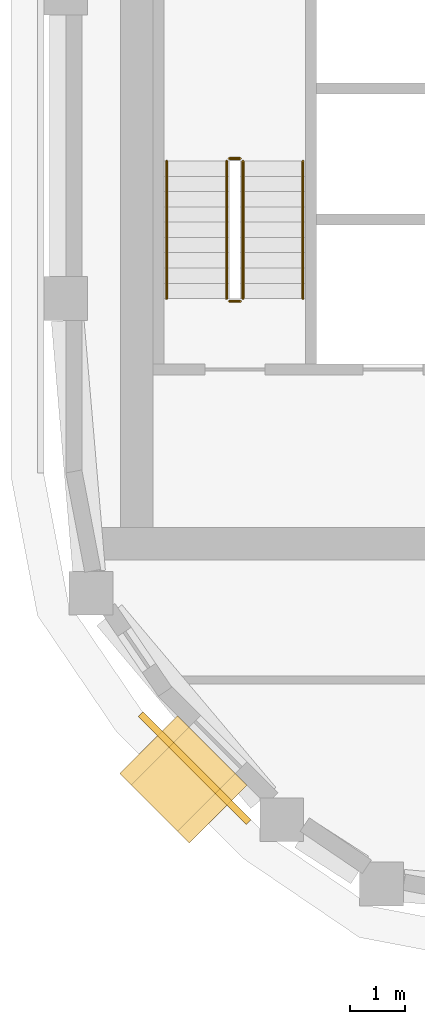
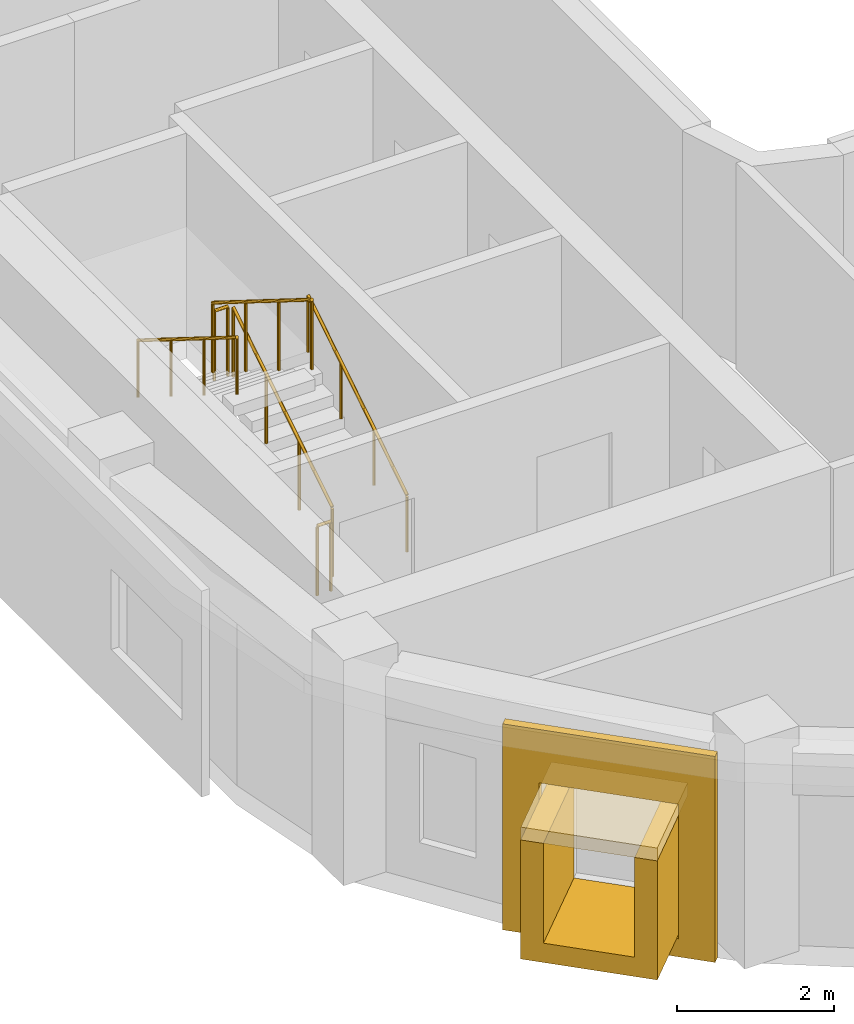
# One storey, part 10 of 16: 6 railings, 3 coverings.
"""IFC4 building model written with IfcOpenShell, lengths in metres."""

from ifc_helpers import new_model, si_unit, direction, frame, origin, origin_2d, place, context, subcontext, project, spatial, polyline, rectangle, circle, outline, extrude, material, layer, layer_set, type_object, element, save


model = new_model("IFC4")

# Units and contexts
model_context = context("Model", 3, precision=1e-05, world=origin(), true_north=direction((0.0, 1.0)))
body_context = subcontext(model_context, "Body", "Model", "MODEL_VIEW")
ifc_project = project(units=[si_unit("LENGTHUNIT", "METRE"), si_unit("AREAUNIT", "SQUARE_METRE"), si_unit("VOLUMEUNIT", "CUBIC_METRE"), si_unit("PLANEANGLEUNIT", "RADIAN"), si_unit("MASSUNIT", "GRAM", prefix="KILO")], contexts=[model_context])

# Site, building, storey
site_placement = place(None, origin())
site = spatial("IfcSite", under=ifc_project, at=site_placement, CompositionType="ELEMENT")
building_placement = place(site_placement, origin())
building = spatial("IfcBuilding", under=site, at=building_placement, Name="Kiln Ring Residences", CompositionType="ELEMENT")
storey_placement = place(building_placement, frame((0.0, 0.0, 245.199951171875)))
storey = spatial("IfcBuildingStorey", under=building, at=storey_placement, Name="L63", CompositionType="ELEMENT", Elevation=245.199951171875)

# Railings
ifc_material_1 = material(Name="Stainless steel", Category="steel")
railing_type_1 = type_object("IfcRailingType", Name="CORE-STAIR-GUARD", PredefinedType="GUARDRAIL", material=ifc_material_1)
railing_1_placement = place(storey_placement, frame((-21.949951171875, -8.39990234375, 0.175048828125)))
element("IfcRailing", 1, at=railing_1_placement, inside=storey, type_object=railing_type_1, Name="L63 W-STS stair guard 1", PredefinedType="GUARDRAIL", context=body_context, shape_type="SweptSolid", body=[
    extrude(circle(Radius=0.02392578125, at=origin_2d()), frame((0.0, 0.0, 1.076171875), z_axis=(0.0, 0.848007534815, 0.529984170421), x_axis=(-1.0, 0.0, 0.0)), (0.0, 0.0, 1.0), 2.9716796875),
    extrude(circle(Radius=0.02099609375, at=origin_2d()), origin(), (0.0, 0.0, 1.0), 1.052001953125),
    extrude(circle(Radius=0.02099609375, at=origin_2d()), frame((0.0, 0.840087890625, 0.52490234375)), (0.0, 0.0, 1.0), 1.052001953125),
    extrude(circle(Radius=0.02099609375, at=origin_2d()), frame((0.0, 1.679931640625, 1.050048828125)), (0.0, 0.0, 1.0), 1.052001953125),
    extrude(circle(Radius=0.02099609375, at=origin_2d()), frame((0.0, 2.52001953125, 1.574951171875)), (0.0, 0.0, 1.0), 1.052001953125),
])
railing_2_placement = place(storey_placement, frame((-22.0, -5.830078125, 1.75)))
element("IfcRailing", 2, at=railing_2_placement, inside=storey, type_object=railing_type_1, Name="L63 W-STS stair guard 2", PredefinedType="GUARDRAIL", context=body_context, shape_type="SweptSolid", body=[
    extrude(circle(Radius=0.02392578125, at=origin_2d()), frame((0.0, 0.0, 1.076171875), z_axis=(-1.0, 0.0, 0.0), x_axis=(0.0, -1.0, 0.0)), (0.0, 0.0, 1.0), 0.199951171875),
    extrude(circle(Radius=0.02099609375, at=origin_2d()), origin(), (0.0, 0.0, 1.0), 1.052001953125),
    extrude(circle(Radius=0.02099609375, at=origin_2d()), frame((-0.199951171875, 0.0, 0.0)), (0.0, 0.0, 1.0), 1.052001953125),
])
railing_3_placement = place(storey_placement, frame((-22.25, -5.8798828125, 1.925048828125)))
element("IfcRailing", 3, at=railing_3_placement, inside=storey, type_object=railing_type_1, Name="L63 W-STS stair guard 3", PredefinedType="GUARDRAIL", context=body_context, shape_type="SweptSolid", body=[
    extrude(circle(Radius=0.02392578125, at=origin_2d()), frame((0.0, 0.0, 1.076171875), z_axis=(0.0, -0.848007534815, 0.529984170421), x_axis=(1.0, 0.0, 0.0)), (0.0, 0.0, 1.0), 2.9716796875),
    extrude(circle(Radius=0.02099609375, at=origin_2d()), origin(), (0.0, 0.0, 1.0), 1.052001953125),
    extrude(circle(Radius=0.02099609375, at=origin_2d()), frame((0.0, -0.840087890625, 0.52490234375)), (0.0, 0.0, 1.0), 1.052001953125),
    extrude(circle(Radius=0.02099609375, at=origin_2d()), frame((0.0, -1.679931640625, 1.050048828125)), (0.0, 0.0, 1.0), 1.052001953125),
    extrude(circle(Radius=0.02099609375, at=origin_2d()), frame((0.0, -2.52001953125, 1.574951171875)), (0.0, 0.0, 1.0), 1.052001953125),
])
railing_4_placement = place(storey_placement, frame((-22.0, -8.449951171875, 0.0)))
element("IfcRailing", 4, at=railing_4_placement, inside=storey, type_object=railing_type_1, Name="L63 W-STS stair guard 4", PredefinedType="GUARDRAIL", context=body_context, shape_type="SweptSolid", body=[
    extrude(circle(Radius=0.02392578125, at=origin_2d()), frame((0.0, 0.0, 1.076171875), z_axis=(-1.0, 0.0, 0.0), x_axis=(0.0, -1.0, 0.0)), (0.0, 0.0, 1.0), 0.199951171875),
    extrude(circle(Radius=0.02099609375, at=origin_2d()), origin(), (0.0, 0.0, 1.0), 1.052001953125),
    extrude(circle(Radius=0.02099609375, at=origin_2d()), frame((-0.199951171875, 0.0, 0.0)), (0.0, 0.0, 1.0), 1.052001953125),
])
ifc_material_2 = material(Name="Stainless steel", Category="steel")
railing_type_2 = type_object("IfcRailingType", Name="CORE-STAIR-HANDRAIL", PredefinedType="HANDRAIL", material=ifc_material_2)
railing_5_placement = place(storey_placement, frame((-20.85009765625, -8.39990234375, 0.175048828125)))
element("IfcRailing", 5, at=railing_5_placement, inside=storey, type_object=railing_type_2, Name="L63 W-STS stair handrail 1", PredefinedType="HANDRAIL", context=body_context, shape_type="SweptSolid", body=[
    extrude(circle(Radius=0.02392578125, at=origin_2d()), frame((0.0, 0.0, 0.8759765625), z_axis=(0.0, 0.848007534815, 0.529984170421), x_axis=(-1.0, 0.0, 0.0)), (0.0, 0.0, 1.0), 2.9716796875),
    extrude(circle(Radius=0.02099609375, at=origin_2d()), origin(), (0.0, 0.0, 1.0), 0.851806640625),
    extrude(circle(Radius=0.02099609375, at=origin_2d()), frame((0.0, 0.840087890625, 0.52490234375)), (0.0, 0.0, 1.0), 0.851806640625),
    extrude(circle(Radius=0.02099609375, at=origin_2d()), frame((0.0, 1.679931640625, 1.050048828125)), (0.0, 0.0, 1.0), 0.851806640625),
    extrude(circle(Radius=0.02099609375, at=origin_2d()), frame((0.0, 2.52001953125, 1.574951171875)), (0.0, 0.0, 1.0), 0.851806640625),
])
railing_6_placement = place(storey_placement, frame((-23.35009765625, -5.8798828125, 1.925048828125)))
element("IfcRailing", 6, at=railing_6_placement, inside=storey, type_object=railing_type_2, Name="L63 W-STS stair handrail 2", PredefinedType="HANDRAIL", context=body_context, shape_type="SweptSolid", body=[
    extrude(circle(Radius=0.02392578125, at=origin_2d()), frame((0.0, 0.0, 0.8759765625), z_axis=(0.0, -0.848007534815, 0.529984170421), x_axis=(1.0, 0.0, 0.0)), (0.0, 0.0, 1.0), 2.9716796875),
    extrude(circle(Radius=0.02099609375, at=origin_2d()), origin(), (0.0, 0.0, 1.0), 0.851806640625),
    extrude(circle(Radius=0.02099609375, at=origin_2d()), frame((0.0, -0.840087890625, 0.52490234375)), (0.0, 0.0, 1.0), 0.851806640625),
    extrude(circle(Radius=0.02099609375, at=origin_2d()), frame((0.0, -1.679931640625, 1.050048828125)), (0.0, 0.0, 1.0), 0.851806640625),
    extrude(circle(Radius=0.02099609375, at=origin_2d()), frame((0.0, -2.52001953125, 1.574951171875)), (0.0, 0.0, 1.0), 0.851806640625),
])

# Coverings
ifc_material_3 = material(Name="Brick masonry, dark clay brick", Category="masonry")
ifc_layer_1 = layer(ifc_material_3, 0.300048828125)
ifc_layer_set_1 = layer_set([ifc_layer_1], Name="FRAME CHEEKS AND SILL 1500")
covering_type_1 = type_object("IfcCoveringType", Name="FRAME CHEEKS AND SILL 1500", PredefinedType="CLADDING", material=ifc_layer_set_1)
covering_1_placement = place(storey_placement, frame((-23.6796875, -16.5810546875, 0.300048828125), z_axis=(0.0, 0.0, 1.0), x_axis=(0.707106781187, -0.707106781187, 0.0)))
element("IfcCovering", 7, at=covering_1_placement, inside=storey, type_object=covering_type_1, Name="FRAME L63", PredefinedType="CLADDING", context=body_context, shape_type="SweptSolid", body=[
    extrude(outline(polyline([(0.0, 0.0), (1.7998046875, 0.0), (1.800048828125, 1.85009765625), (1.5009765625, 1.85009765625), (1.5, 0.300048828125), (0.300048828125, 0.300048828125), (0.299072265625, 1.85009765625), (0.0, 1.85009765625), (0.0, 0.0)])), frame((0.0, 0.75, 0.0), z_axis=(0.0, -1.0, 0.0), x_axis=(1.0, 0.0, 0.0)), (0.0, 0.0, 1.0), 1.5),
])
ifc_material_4 = material(Name="Brick masonry, dark clay brick", Category="masonry")
ifc_layer_2 = layer(ifc_material_4, 0.199951171875)
ifc_layer_set_2 = layer_set([ifc_layer_2], Name="FRAME HEAD 1500")
covering_type_2 = type_object("IfcCoveringType", Name="FRAME HEAD 1500", PredefinedType="CLADDING", material=ifc_layer_set_2)
covering_2_placement = place(storey_placement, frame((-23.043212890625, -17.21728515625, 2.14990234375), z_axis=(0.0, 0.0, 1.0), x_axis=(0.707106781187, -0.707106781187, 0.0)))
element("IfcCovering", 8, at=covering_2_placement, inside=storey, type_object=covering_type_2, Name="FRAME HEAD L63", PredefinedType="CLADDING", context=body_context, shape_type="SweptSolid", body=[
    extrude(rectangle(XDim=1.800048828125, YDim=1.5, at=origin_2d()), origin(), (0.0, 0.0, 1.0), 0.199951171875),
])
ifc_material_5 = material(Name="Brick masonry, dark clay brick", Category="masonry")
ifc_layer_3 = layer(ifc_material_5, 0.1201171875)
ifc_layer_set_3 = layer_set([ifc_layer_3], Name="RAINSCREEN PANEL 120")
covering_type_3 = type_object("IfcCoveringType", Name="RAINSCREEN PANEL 120", PredefinedType="CLADDING", material=ifc_layer_set_3)
covering_3_placement = place(storey_placement, frame((-23.828125, -16.022216796875, 0.0), z_axis=(0.0, 0.0, 1.0), x_axis=(0.707063182409, -0.707150377276, 0.0)))
element("IfcCovering", 9, at=covering_3_placement, inside=storey, type_object=covering_type_3, Name="RAINSCREEN L63", PredefinedType="CLADDING", context=body_context, shape_type="SweptSolid", body=[
    extrude(outline(polyline([(0.0, 0.0), (2.800048828125, 0.0), (2.800048828125, 3.199951171875), (0.0, 3.199951171875), (0.0, 0.0)]), holes=[polyline([(0.47998046875, 2.3701171875), (0.47998046875, 0.280029296875), (2.320068359375, 0.280029296875), (2.320068359375, 2.3701171875), (0.47998046875, 2.3701171875)])]), frame((0.0, 0.06005859375, 0.0), z_axis=(0.0, -1.0, 0.0), x_axis=(1.0, 0.0, 0.0)), (0.0, 0.0, 1.0), 0.1201171875),
])

save(model, "model.ifc")
